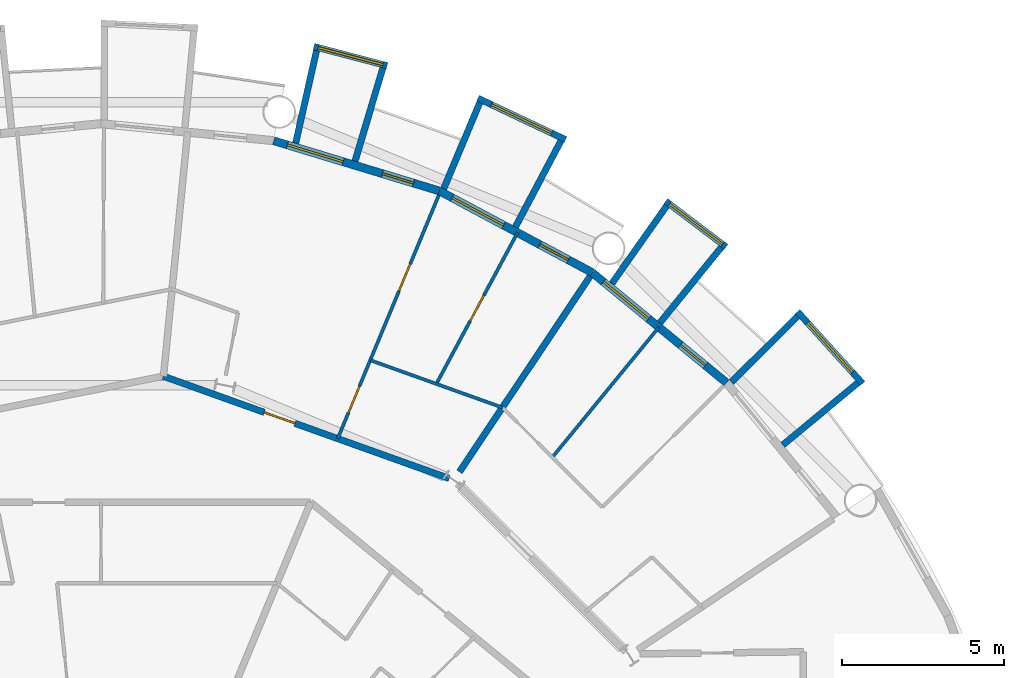
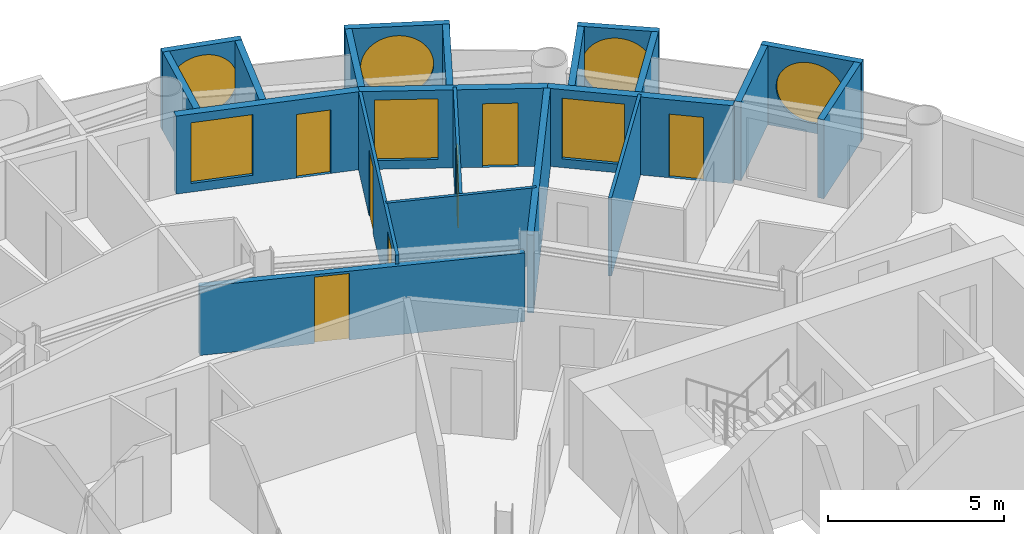
# One storey, part 22 of 26: 21 walls, 7 doors, 7 windows, 14 openings.
"""IFC4 building model written with IfcOpenShell, lengths in metres."""

from ifc_helpers import new_model, si_unit, direction, frame, frame_2d, origin, place, context, subcontext, project, spatial, rectangle, circle, extrude, material, layer, layer_set, type_object, element, fill, save


model = new_model("IFC4")

# Units and contexts
model_context = context("Model", 3, precision=1e-05, world=origin(), true_north=direction((0.0, 1.0)))
body_context = subcontext(model_context, "Body", "Model", "MODEL_VIEW")
ifc_project = project(units=[si_unit("LENGTHUNIT", "METRE"), si_unit("AREAUNIT", "SQUARE_METRE"), si_unit("VOLUMEUNIT", "CUBIC_METRE"), si_unit("PLANEANGLEUNIT", "RADIAN"), si_unit("MASSUNIT", "GRAM", prefix="KILO")], contexts=[model_context])

# Site, building, storey
site_placement = place(None, origin())
site = spatial("IfcSite", under=ifc_project, at=site_placement, CompositionType="ELEMENT")
building_placement = place(site_placement, origin())
building = spatial("IfcBuilding", under=site, at=building_placement, Name="Maasbend Ring Residences", CompositionType="ELEMENT")
storey_placement = place(building_placement, frame((0.0, 0.0, 35.0)))
storey = spatial("IfcBuildingStorey", under=building, at=storey_placement, Name="L09", CompositionType="ELEMENT", Elevation=35.0)

# Wall, opening, door
ifc_material_1 = material(Name="Concrete C30/37", Category="concrete")
ifc_layer_1 = layer(ifc_material_1, 0.199951171875)
ifc_layer_set_1 = layer_set([ifc_layer_1], Name="Concrete C30/37")
wall_type_1 = type_object("IfcWallType", Name="CORRIDOR WALL 200 CONCRETE", PredefinedType="PARTITIONING", material=ifc_layer_set_1)
wall_1_placement = place(storey_placement, frame((1.91796875, 19.506103515625, 0.0), z_axis=(0.0, 0.0, 1.0), x_axis=(0.941574977747, -0.336803446065, 0.0)))
wall_1 = element("IfcWall", 1, at=wall_1_placement, inside=storey, type_object=wall_type_1, Name="U-L09-w107", PredefinedType="PARTITIONING", context=body_context, shape_type="SweptSolid", body=[
    extrude(rectangle(XDim=9.370361328125, YDim=0.199951171875, at=frame_2d((4.68505859375, 0.0))), origin(), (0.0, 0.0, 1.0), 2.3798828125),
])
opening_1_placement = place(wall_1_placement, frame((3.31298828125, 0.0, 0.0)))
opening_1 = element("IfcOpeningElement", 2, at=opening_1_placement, cuts=wall_1, Name="Opening D-0905", PredefinedType="OPENING", context=body_context, shape_type="SweptSolid", body=[
    extrude(rectangle(XDim=1.0, YDim=2.300048828125, at=frame_2d((0.5, 1.14990234375))), frame((0.0, 0.10986328125, 0.0), z_axis=(0.0, -1.0, 0.0), x_axis=(1.0, 0.0, 0.0)), (0.0, 0.0, 1.0), 0.219970703125),
])
ifc_material_2 = material(Name="Timber, fire-rated, painted", Category="wood")
door_type_1 = type_object("IfcDoorType", Name="FLAT ENTRANCE DOOR 1000 X 2300 FIRE-RATED", OperationType="NOTDEFINED", PredefinedType="DOOR", material=ifc_material_2)
door_1_placement = place(opening_1_placement, origin())
door_1 = element("IfcDoor", 3, at=door_1_placement, inside=storey, type_object=door_type_1, Name="D-0905", OperationType="SINGLE_SWING_LEFT", OverallHeight=2.300048828125, OverallWidth=1.0, PredefinedType="DOOR", context=body_context, shape_type="SweptSolid", body=[
    extrude(rectangle(XDim=1.0, YDim=2.300048828125, at=frame_2d((0.5, 1.14990234375))), frame((0.0, 0.02490234375, 0.0), z_axis=(0.0, -1.0, 0.0), x_axis=(1.0, 0.0, 0.0)), (0.0, 0.0, 1.0), 0.050048828125),
])
fill(opening_1, door_1)

# Wall, opening, window
ifc_material_3 = material(Name="Pale anodised aluminium panel", Category="aluminium")
ifc_layer_2 = layer(ifc_material_3, 0.199951171875)
ifc_layer_set_2 = layer_set([ifc_layer_2], Name="EW-BOX")
wall_type_2 = type_object("IfcWallType", Name="EW-BOX", PredefinedType="SOLIDWALL", material=ifc_layer_set_2)
wall_2_placement = place(storey_placement, frame((23.5029296875, 19.281982421875, -0.030029296875), z_axis=(0.0, 0.0, 1.0), x_axis=(-0.671506829416, 0.740998365753, 0.0)))
wall_2 = element("IfcWall", 4, at=wall_2_placement, inside=storey, type_object=wall_type_2, Name="Box front N02", PredefinedType="SOLIDWALL", context=body_context, shape_type="SweptSolid", body=[
    extrude(rectangle(XDim=2.9931640625, YDim=0.199951171875, at=frame_2d((1.49658203125, 0.0))), origin(), (0.0, 0.0, 1.0), 2.72998046875),
])
opening_2_placement = place(wall_2_placement, frame((0.45654296875, 0.0, 0.330078125)))
opening_2 = element("IfcOpeningElement", 5, at=opening_2_placement, cuts=wall_2, Name="Opening W-RD", PredefinedType="OPENING", context=body_context, shape_type="SweptSolid", body=[
    extrude(circle(Radius=1.0400390625, at=frame_2d((1.0400390625, 1.0400390625))), frame((0.0, 0.10986328125, 0.0), z_axis=(0.0, -1.0, 0.0), x_axis=(1.0, 0.0, 0.0)), (0.0, 0.0, 1.0), 0.219970703125),
])
ifc_material_4 = material(Name="Aluminium and clear glass", Category="aluminium")
window_type_1 = type_object("IfcWindowType", Name="W-RD", PartitioningType="SINGLE_PANEL", PredefinedType="WINDOW", material=ifc_material_4)
window_1_placement = place(opening_2_placement, origin())
window_1 = element("IfcWindow", 6, at=window_1_placement, inside=storey, type_object=window_type_1, Name="Round window N02", OverallHeight=2.080078125, OverallWidth=2.080078125, PartitioningType="SINGLE_PANEL", PredefinedType="WINDOW", context=body_context, shape_type="SweptSolid", body=[
    extrude(circle(Radius=1.0400390625, at=frame_2d((1.0400390625, 1.0400390625))), frame((0.0, 0.030029296875, 0.0), z_axis=(0.0, -1.0, 0.0), x_axis=(1.0, 0.0, 0.0)), (0.0, 0.0, 1.0), 0.06005859375),
])
fill(opening_2, window_1)

# Walls
wall_3_placement = place(storey_placement, frame((21.041015625, 17.384033203125, -0.030029296875), z_axis=(0.0, 0.0, 1.0), x_axis=(0.770784861449, 0.63709551667, 0.0)))
element("IfcWall", 7, at=wall_3_placement, inside=storey, type_object=wall_type_2, Name="Box side wall N02 left", PredefinedType="SOLIDWALL", context=body_context, shape_type="SweptSolid", body=[
    extrude(rectangle(XDim=3.005859375, YDim=0.199951171875, at=frame_2d((1.5029296875, 0.0))), origin(), (0.0, 0.0, 1.0), 2.72998046875),
])
wall_4_placement = place(storey_placement, frame((19.449951171875, 19.322998046875, -0.030029296875), z_axis=(0.0, 0.0, 1.0), x_axis=(0.709727076896, 0.704476739375, 0.0)))
element("IfcWall", 8, at=wall_4_placement, inside=storey, type_object=wall_type_2, Name="Box side wall N02 right", PredefinedType="SOLIDWALL", context=body_context, shape_type="SweptSolid", body=[
    extrude(rectangle(XDim=2.883056640625, YDim=0.199951171875, at=frame_2d((1.44140625, 0.0))), origin(), (0.0, 0.0, 1.0), 2.72998046875),
])

# Wall, opening, window
wall_5_placement = place(storey_placement, frame((19.2890625, 23.4970703125, -0.030029296875), z_axis=(0.0, 0.0, 1.0), x_axis=(-0.796842165306, 0.60418752353, 0.0)))
wall_5 = element("IfcWall", 9, at=wall_5_placement, inside=storey, type_object=wall_type_2, Name="Box front N04", PredefinedType="SOLIDWALL", context=body_context, shape_type="SweptSolid", body=[
    extrude(rectangle(XDim=2.3369140625, YDim=0.199951171875, at=frame_2d((1.16845703125, 0.0))), origin(), (0.0, 0.0, 1.0), 2.72998046875),
])
opening_3_placement = place(wall_5_placement, frame((0.128173828125, 0.0, 0.330078125)))
opening_3 = element("IfcOpeningElement", 10, at=opening_3_placement, cuts=wall_5, Name="Opening W-RD", PredefinedType="OPENING", context=body_context, shape_type="SweptSolid", body=[
    extrude(circle(Radius=1.0400390625, at=frame_2d((1.0400390625, 1.0400390625))), frame((0.0, 0.10986328125, 0.0), z_axis=(0.0, -1.0, 0.0), x_axis=(1.0, 0.0, 0.0)), (0.0, 0.0, 1.0), 0.219970703125),
])
window_2_placement = place(opening_3_placement, origin())
window_2 = element("IfcWindow", 11, at=window_2_placement, inside=storey, type_object=window_type_1, Name="Round window N04", OverallHeight=2.080078125, OverallWidth=2.080078125, PartitioningType="SINGLE_PANEL", PredefinedType="WINDOW", context=body_context, shape_type="SweptSolid", body=[
    extrude(circle(Radius=1.0400390625, at=frame_2d((1.0400390625, 1.0400390625))), frame((0.0, 0.030029296875, 0.0), z_axis=(0.0, -1.0, 0.0), x_axis=(1.0, 0.0, 0.0)), (0.0, 0.0, 1.0), 0.06005859375),
])
fill(opening_3, window_2)

# Walls
wall_6_placement = place(storey_placement, frame((17.24609375, 21.155029296875, -0.030029296875), z_axis=(0.0, 0.0, 1.0), x_axis=(0.631741648902, 0.775179004516, 0.0)))
element("IfcWall", 12, at=wall_6_placement, inside=storey, type_object=wall_type_2, Name="Box side wall N04 left", PredefinedType="SOLIDWALL", context=body_context, shape_type="SweptSolid", body=[
    extrude(rectangle(XDim=3.005859375, YDim=0.199951171875, at=frame_2d((1.5029296875, 0.0))), origin(), (0.0, 0.0, 1.0), 2.72998046875),
])
wall_7_placement = place(storey_placement, frame((15.764892578125, 22.3701171875, -0.030029296875), z_axis=(0.0, 0.0, 1.0), x_axis=(0.576274612209, 0.817256123454, 0.0)))
element("IfcWall", 13, at=wall_7_placement, inside=storey, type_object=wall_type_2, Name="Box side wall N04 right", PredefinedType="SOLIDWALL", context=body_context, shape_type="SweptSolid", body=[
    extrude(rectangle(XDim=2.932861328125, YDim=0.199951171875, at=frame_2d((1.46630859375, 0.0))), origin(), (0.0, 0.0, 1.0), 2.72998046875),
])

# Wall, opening, window
wall_8_placement = place(storey_placement, frame((14.3349609375, 26.80810546875, -0.030029296875), z_axis=(0.0, 0.0, 1.0), x_axis=(-0.904000060331, 0.427532327342, 0.0)))
wall_8 = element("IfcWall", 14, at=wall_8_placement, inside=storey, type_object=wall_type_2, Name="Box front N06", PredefinedType="SOLIDWALL", context=body_context, shape_type="SweptSolid", body=[
    extrude(rectangle(XDim=2.993408203125, YDim=0.199951171875, at=frame_2d((1.49658203125, 0.0))), origin(), (0.0, 0.0, 1.0), 2.72998046875),
])
opening_4_placement = place(wall_8_placement, frame((0.45654296875, 0.0, 0.330078125)))
opening_4 = element("IfcOpeningElement", 15, at=opening_4_placement, cuts=wall_8, Name="Opening W-RD", PredefinedType="OPENING", context=body_context, shape_type="SweptSolid", body=[
    extrude(circle(Radius=1.0400390625, at=frame_2d((1.0400390625, 1.0400390625))), frame((0.0, 0.10986328125, 0.0), z_axis=(0.0, -1.0, 0.0), x_axis=(1.0, 0.0, 0.0)), (0.0, 0.0, 1.0), 0.219970703125),
])
window_3_placement = place(opening_4_placement, origin())
window_3 = element("IfcWindow", 16, at=window_3_placement, inside=storey, type_object=window_type_1, Name="Round window N06", OverallHeight=2.080078125, OverallWidth=2.080078125, PartitioningType="SINGLE_PANEL", PredefinedType="WINDOW", context=body_context, shape_type="SweptSolid", body=[
    extrude(circle(Radius=1.0400390625, at=frame_2d((1.0400390625, 1.0400390625))), frame((0.0, 0.030029296875, 0.0), z_axis=(0.0, -1.0, 0.0), x_axis=(1.0, 0.0, 0.0)), (0.0, 0.0, 1.0), 0.06005859375),
])
fill(opening_4, window_3)

# Walls
wall_9_placement = place(storey_placement, frame((12.787109375, 24.113037109375, -0.030029296875), z_axis=(0.0, 0.0, 1.0), x_axis=(0.468365282436, 0.883534924159, 0.0)))
element("IfcWall", 17, at=wall_9_placement, inside=storey, type_object=wall_type_2, Name="Box side wall N06 left", PredefinedType="SOLIDWALL", context=body_context, shape_type="SweptSolid", body=[
    extrude(rectangle(XDim=3.006103515625, YDim=0.199951171875, at=frame_2d((1.5029296875, 0.0))), origin(), (0.0, 0.0, 1.0), 2.72998046875),
])
wall_10_placement = place(storey_placement, frame((10.574951171875, 25.294921875, -0.030029296875), z_axis=(0.0, 0.0, 1.0), x_axis=(0.385697364644, 0.922625353492, 0.0)))
element("IfcWall", 18, at=wall_10_placement, inside=storey, type_object=wall_type_2, Name="Box side wall N06 right", PredefinedType="SOLIDWALL", context=body_context, shape_type="SweptSolid", body=[
    extrude(rectangle(XDim=2.88330078125, YDim=0.199951171875, at=frame_2d((1.441650390625, 0.0))), origin(), (0.0, 0.0, 1.0), 2.72998046875),
])

# Wall, opening, window
wall_11_placement = place(storey_placement, frame((8.827880859375, 29.090087890625, -0.030029296875), z_axis=(0.0, 0.0, 1.0), x_axis=(-0.967377102346, 0.253340762326, 0.0)))
wall_11 = element("IfcWall", 19, at=wall_11_placement, inside=storey, type_object=wall_type_2, Name="Box front N08", PredefinedType="SOLIDWALL", context=body_context, shape_type="SweptSolid", body=[
    extrude(rectangle(XDim=2.3359375, YDim=0.199951171875, at=frame_2d((1.16796875, 0.0))), origin(), (0.0, 0.0, 1.0), 2.72998046875),
])
opening_5_placement = place(wall_11_placement, frame((0.128173828125, 0.0, 0.330078125)))
opening_5 = element("IfcOpeningElement", 20, at=opening_5_placement, cuts=wall_11, Name="Opening W-RD", PredefinedType="OPENING", context=body_context, shape_type="SweptSolid", body=[
    extrude(circle(Radius=1.0400390625, at=frame_2d((1.0400390625, 1.0400390625))), frame((0.0, 0.10986328125, 0.0), z_axis=(0.0, -1.0, 0.0), x_axis=(1.0, 0.0, 0.0)), (0.0, 0.0, 1.0), 0.219970703125),
])
window_4_placement = place(opening_5_placement, origin())
window_4 = element("IfcWindow", 21, at=window_4_placement, inside=storey, type_object=window_type_1, Name="Round window N08", OverallHeight=2.080078125, OverallWidth=2.080078125, PartitioningType="SINGLE_PANEL", PredefinedType="WINDOW", context=body_context, shape_type="SweptSolid", body=[
    extrude(circle(Radius=1.0400390625, at=frame_2d((1.0400390625, 1.0400390625))), frame((0.0, 0.030029296875, 0.0), z_axis=(0.0, -1.0, 0.0), x_axis=(1.0, 0.0, 0.0)), (0.0, 0.0, 1.0), 0.06005859375),
])
fill(opening_5, window_4)

# Walls
wall_12_placement = place(storey_placement, frame((7.8369140625, 26.14404296875, -0.030029296875), z_axis=(0.0, 0.0, 1.0), x_axis=(0.287064767992, 0.957911174889, 0.0)))
element("IfcWall", 22, at=wall_12_placement, inside=storey, type_object=wall_type_2, Name="Box side wall N08 left", PredefinedType="SOLIDWALL", context=body_context, shape_type="SweptSolid", body=[
    extrude(rectangle(XDim=3.00634765625, YDim=0.199951171875, at=frame_2d((1.503173828125, 0.0))), origin(), (0.0, 0.0, 1.0), 2.72998046875),
])
wall_13_placement = place(storey_placement, frame((6.00390625, 26.699951171875, -0.030029296875), z_axis=(0.0, 0.0, 1.0), x_axis=(0.219609259383, 0.975587911566, 0.0)))
element("IfcWall", 23, at=wall_13_placement, inside=storey, type_object=wall_type_2, Name="Box side wall N08 right", PredefinedType="SOLIDWALL", context=body_context, shape_type="SweptSolid", body=[
    extrude(rectangle(XDim=2.9326171875, YDim=0.199951171875, at=frame_2d((1.46630859375, 0.0))), origin(), (0.0, 0.0, 1.0), 2.72998046875),
])

# Wall, openings, door, window
ifc_material_5 = material(Name="Aluminium clad insulated panel", Category="aluminium")
ifc_layer_3 = layer(ifc_material_5, 0.25)
ifc_layer_set_3 = layer_set([ifc_layer_3], Name="EW-GL")
wall_type_3 = type_object("IfcWallType", Name="EW-GL", PredefinedType="SOLIDWALL", material=ifc_layer_set_3)
wall_14_placement = place(storey_placement, frame((19.303955078125, 19.303955078125, 0.0), z_axis=(0.0, 0.0, 1.0), x_axis=(-0.773019449054, 0.634382322723, 0.0)))
wall_14 = element("IfcWall", 24, at=wall_14_placement, inside=storey, type_object=wall_type_3, Name="External wall N02", PredefinedType="SOLIDWALL", context=body_context, shape_type="SweptSolid", body=[
    extrude(rectangle(XDim=5.351806640625, YDim=0.25, at=frame_2d((2.67578125, 0.0))), origin(), (0.0, 0.0, 1.0), 2.699951171875),
])
opening_6_placement = place(wall_14_placement, frame((0.841064453125, 0.0, 0.0)))
opening_6 = element("IfcOpeningElement", 25, at=opening_6_placement, cuts=wall_14, Name="Opening D-LG", PredefinedType="OPENING", context=body_context, shape_type="SweptSolid", body=[
    extrude(rectangle(XDim=1.0, YDim=2.199951171875, at=frame_2d((0.5, 1.10009765625))), frame((0.0, 0.135009765625, 0.0), z_axis=(0.0, -1.0, 0.0), x_axis=(1.0, 0.0, 0.0)), (0.0, 0.0, 1.0), 0.27001953125),
])
opening_7_placement = place(wall_14_placement, frame((3.110595703125, 0.0, 0.300048828125)))
opening_7 = element("IfcOpeningElement", 26, at=opening_7_placement, cuts=wall_14, Name="Opening W-BX", PredefinedType="OPENING", context=body_context, shape_type="SweptSolid", body=[
    extrude(rectangle(XDim=1.800048828125, YDim=2.10009765625, at=frame_2d((0.89990234375, 1.050048828125))), frame((0.0, 0.135009765625, 0.0), z_axis=(0.0, -1.0, 0.0), x_axis=(1.0, 0.0, 0.0)), (0.0, 0.0, 1.0), 0.27001953125),
])
ifc_material_6 = material(Name="Aluminium and clear glass", Category="aluminium")
door_type_2 = type_object("IfcDoorType", Name="D-LG", OperationType="SINGLE_SWING_LEFT", PredefinedType="DOOR", material=ifc_material_6)
door_2_placement = place(opening_6_placement, origin())
door_2 = element("IfcDoor", 27, at=door_2_placement, inside=storey, type_object=door_type_2, Name="Loggia door N03", OperationType="SINGLE_SWING_LEFT", OverallHeight=2.199951171875, OverallWidth=1.0, PredefinedType="DOOR", context=body_context, shape_type="SweptSolid", body=[
    extrude(rectangle(XDim=1.0, YDim=2.199951171875, at=frame_2d((0.5, 1.10009765625))), frame((0.0, 0.02490234375, 0.0), z_axis=(0.0, -1.0, 0.0), x_axis=(1.0, 0.0, 0.0)), (0.0, 0.0, 1.0), 0.050048828125),
])
fill(opening_6, door_2)
ifc_material_7 = material(Name="Aluminium and clear glass", Category="aluminium")
window_type_2 = type_object("IfcWindowType", Name="W-BX", PartitioningType="DOUBLE_PANEL_VERTICAL", PredefinedType="WINDOW", material=ifc_material_7)
window_5_placement = place(opening_7_placement, origin())
window_5 = element("IfcWindow", 28, at=window_5_placement, inside=storey, type_object=window_type_2, Name="Window N04 room to box", OverallHeight=2.10009765625, OverallWidth=1.800048828125, PartitioningType="SINGLE_PANEL", PredefinedType="WINDOW", context=body_context, shape_type="SweptSolid", body=[
    extrude(rectangle(XDim=1.800048828125, YDim=2.10009765625, at=frame_2d((0.89990234375, 1.050048828125))), frame((0.0, 0.030029296875, 0.0), z_axis=(0.0, -1.0, 0.0), x_axis=(1.0, 0.0, 0.0)), (0.0, 0.0, 1.0), 0.06005859375),
])
fill(opening_7, window_5)

wall_15_placement = place(storey_placement, frame((15.1669921875, 22.698974609375, 0.0), z_axis=(0.0, 0.0, 1.0), x_axis=(-0.881915646801, 0.471407246368, 0.0)))
wall_15 = element("IfcWall", 29, at=wall_15_placement, inside=storey, type_object=wall_type_3, Name="External wall N03", PredefinedType="SOLIDWALL", context=body_context, shape_type="SweptSolid", body=[
    extrude(rectangle(XDim=5.35205078125, YDim=0.25, at=frame_2d((2.676025390625, 0.0))), origin(), (0.0, 0.0, 1.0), 2.699951171875),
])
opening_8_placement = place(wall_15_placement, frame((0.841064453125, 0.0, 0.0)))
opening_8 = element("IfcOpeningElement", 30, at=opening_8_placement, cuts=wall_15, Name="Opening D-LG", PredefinedType="OPENING", context=body_context, shape_type="SweptSolid", body=[
    extrude(rectangle(XDim=1.0, YDim=2.199951171875, at=frame_2d((0.5, 1.10009765625))), frame((0.0, 0.135009765625, 0.0), z_axis=(0.0, -1.0, 0.0), x_axis=(1.0, 0.0, 0.0)), (0.0, 0.0, 1.0), 0.27001953125),
])
opening_9_placement = place(wall_15_placement, frame((3.110595703125, 0.0, 0.300048828125)))
opening_9 = element("IfcOpeningElement", 31, at=opening_9_placement, cuts=wall_15, Name="Opening W-BX", PredefinedType="OPENING", context=body_context, shape_type="SweptSolid", body=[
    extrude(rectangle(XDim=1.800048828125, YDim=2.10009765625, at=frame_2d((0.89990234375, 1.050048828125))), frame((0.0, 0.135009765625, 0.0), z_axis=(0.0, -1.0, 0.0), x_axis=(1.0, 0.0, 0.0)), (0.0, 0.0, 1.0), 0.27001953125),
])
door_3_placement = place(opening_8_placement, origin())
door_3 = element("IfcDoor", 32, at=door_3_placement, inside=storey, type_object=door_type_2, Name="Loggia door N05", OperationType="SINGLE_SWING_LEFT", OverallHeight=2.199951171875, OverallWidth=1.0, PredefinedType="DOOR", context=body_context, shape_type="SweptSolid", body=[
    extrude(rectangle(XDim=1.0, YDim=2.199951171875, at=frame_2d((0.5, 1.10009765625))), frame((0.0, 0.02490234375, 0.0), z_axis=(0.0, -1.0, 0.0), x_axis=(1.0, 0.0, 0.0)), (0.0, 0.0, 1.0), 0.050048828125),
])
fill(opening_8, door_3)
window_6_placement = place(opening_9_placement, origin())
window_6 = element("IfcWindow", 33, at=window_6_placement, inside=storey, type_object=window_type_2, Name="Window N06 room to box", OverallHeight=2.10009765625, OverallWidth=1.800048828125, PartitioningType="SINGLE_PANEL", PredefinedType="WINDOW", context=body_context, shape_type="SweptSolid", body=[
    extrude(rectangle(XDim=1.800048828125, YDim=2.10009765625, at=frame_2d((0.89990234375, 1.050048828125))), frame((0.0, 0.030029296875, 0.0), z_axis=(0.0, -1.0, 0.0), x_axis=(1.0, 0.0, 0.0)), (0.0, 0.0, 1.0), 0.06005859375),
])
fill(opening_9, window_6)

wall_16_placement = place(storey_placement, frame((10.447021484375, 25.221923828125, 0.0), z_axis=(0.0, 0.0, 1.0), x_axis=(-0.956965678721, 0.290201119486, 0.0)))
wall_16 = element("IfcWall", 34, at=wall_16_placement, inside=storey, type_object=wall_type_3, Name="External wall N04", PredefinedType="SOLIDWALL", context=body_context, shape_type="SweptSolid", body=[
    extrude(rectangle(XDim=5.351318359375, YDim=0.25, at=frame_2d((2.67578125, 0.0))), origin(), (0.0, 0.0, 1.0), 2.699951171875),
])
opening_10_placement = place(wall_16_placement, frame((0.841064453125, 0.0, 0.0)))
opening_10 = element("IfcOpeningElement", 35, at=opening_10_placement, cuts=wall_16, Name="Opening D-LG", PredefinedType="OPENING", context=body_context, shape_type="SweptSolid", body=[
    extrude(rectangle(XDim=1.0, YDim=2.199951171875, at=frame_2d((0.5, 1.10009765625))), frame((0.0, 0.135009765625, 0.0), z_axis=(0.0, -1.0, 0.0), x_axis=(1.0, 0.0, 0.0)), (0.0, 0.0, 1.0), 0.27001953125),
])
opening_11_placement = place(wall_16_placement, frame((3.110595703125, 0.0, 0.300048828125)))
opening_11 = element("IfcOpeningElement", 36, at=opening_11_placement, cuts=wall_16, Name="Opening W-BX", PredefinedType="OPENING", context=body_context, shape_type="SweptSolid", body=[
    extrude(rectangle(XDim=1.800048828125, YDim=2.10009765625, at=frame_2d((0.89990234375, 1.050048828125))), frame((0.0, 0.135009765625, 0.0), z_axis=(0.0, -1.0, 0.0), x_axis=(1.0, 0.0, 0.0)), (0.0, 0.0, 1.0), 0.27001953125),
])
door_4_placement = place(opening_10_placement, origin())
door_4 = element("IfcDoor", 37, at=door_4_placement, inside=storey, type_object=door_type_2, Name="Loggia door N07", OperationType="SINGLE_SWING_LEFT", OverallHeight=2.199951171875, OverallWidth=1.0, PredefinedType="DOOR", context=body_context, shape_type="SweptSolid", body=[
    extrude(rectangle(XDim=1.0, YDim=2.199951171875, at=frame_2d((0.5, 1.10009765625))), frame((0.0, 0.02490234375, 0.0), z_axis=(0.0, -1.0, 0.0), x_axis=(1.0, 0.0, 0.0)), (0.0, 0.0, 1.0), 0.050048828125),
])
fill(opening_10, door_4)
window_7_placement = place(opening_11_placement, origin())
window_7 = element("IfcWindow", 38, at=window_7_placement, inside=storey, type_object=window_type_2, Name="Window N08 room to box", OverallHeight=2.10009765625, OverallWidth=1.800048828125, PartitioningType="SINGLE_PANEL", PredefinedType="WINDOW", context=body_context, shape_type="SweptSolid", body=[
    extrude(rectangle(XDim=1.800048828125, YDim=2.10009765625, at=frame_2d((0.89990234375, 1.050048828125))), frame((0.0, 0.030029296875, 0.0), z_axis=(0.0, -1.0, 0.0), x_axis=(1.0, 0.0, 0.0)), (0.0, 0.0, 1.0), 0.06005859375),
])
fill(opening_11, window_7)

# Wall, openings, doors
ifc_material_8 = material(Name="Gypsum board on steel studs", Category="steel")
ifc_layer_4 = layer(ifc_material_8, 0.10009765625)
ifc_layer_set_4 = layer_set([ifc_layer_4], Name="PARTITION 100 GYPSUM")
wall_type_4 = type_object("IfcWallType", Name="PARTITION 100 GYPSUM", PredefinedType="PARTITIONING", material=ifc_layer_set_4)
wall_17_placement = place(storey_placement, frame((7.302001953125, 17.580078125, 0.0), z_axis=(0.0, 0.0, 1.0), x_axis=(0.383616168183, 0.923492628833, 0.0)))
wall_17 = element("IfcWall", 39, at=wall_17_placement, inside=storey, type_object=wall_type_4, Name="U-L09-w073", PredefinedType="PARTITIONING", context=body_context, shape_type="SweptSolid", body=[
    extrude(rectangle(XDim=8.138427734375, YDim=0.10009765625, at=frame_2d((4.0693359375, 0.0))), origin(), (0.0, 0.0, 1.0), 2.699951171875),
])
opening_12_placement = place(wall_17_placement, frame((0.861083984375, 0.0, 0.0)))
opening_12 = element("IfcOpeningElement", 40, at=opening_12_placement, cuts=wall_17, Name="Opening D-0907", PredefinedType="OPENING", context=body_context, shape_type="SweptSolid", body=[
    extrude(rectangle(XDim=0.89990234375, YDim=2.300048828125, at=frame_2d((0.449951171875, 1.14990234375))), frame((0.0, 0.06005859375, 0.0), z_axis=(0.0, -1.0, 0.0), x_axis=(1.0, 0.0, 0.0)), (0.0, 0.0, 1.0), 0.1201171875),
])
opening_13_placement = place(wall_17_placement, frame((4.930908203125, 0.0, 0.0)))
opening_13 = element("IfcOpeningElement", 41, at=opening_13_placement, cuts=wall_17, Name="Opening D-0908", PredefinedType="OPENING", context=body_context, shape_type="SweptSolid", body=[
    extrude(rectangle(XDim=0.89990234375, YDim=2.300048828125, at=frame_2d((0.449951171875, 1.14990234375))), frame((0.0, 0.06005859375, 0.0), z_axis=(0.0, -1.0, 0.0), x_axis=(1.0, 0.0, 0.0)), (0.0, 0.0, 1.0), 0.1201171875),
])
ifc_material_9 = material(Name="Timber, painted", Category="wood")
door_type_3 = type_object("IfcDoorType", Name="INTERNAL DOOR 900 X 2300", OperationType="NOTDEFINED", PredefinedType="DOOR", material=ifc_material_9)
door_5_placement = place(opening_12_placement, origin())
door_5 = element("IfcDoor", 42, at=door_5_placement, inside=storey, type_object=door_type_3, Name="D-0907", OperationType="SINGLE_SWING_LEFT", OverallHeight=2.300048828125, OverallWidth=0.89990234375, PredefinedType="DOOR", context=body_context, shape_type="SweptSolid", body=[
    extrude(rectangle(XDim=0.89990234375, YDim=2.300048828125, at=frame_2d((0.449951171875, 1.14990234375))), frame((0.0, 0.02490234375, 0.0), z_axis=(0.0, -1.0, 0.0), x_axis=(1.0, 0.0, 0.0)), (0.0, 0.0, 1.0), 0.050048828125),
])
fill(opening_12, door_5)
door_6_placement = place(opening_13_placement, origin())
door_6 = element("IfcDoor", 43, at=door_6_placement, inside=storey, type_object=door_type_3, Name="D-0908", OperationType="SINGLE_SWING_RIGHT", OverallHeight=2.300048828125, OverallWidth=0.89990234375, PredefinedType="DOOR", context=body_context, shape_type="SweptSolid", body=[
    extrude(rectangle(XDim=0.89990234375, YDim=2.300048828125, at=frame_2d((0.449951171875, 1.14990234375))), frame((0.0, 0.02490234375, 0.0), z_axis=(0.0, -1.0, 0.0), x_axis=(1.0, 0.0, 0.0)), (0.0, 0.0, 1.0), 0.050048828125),
])
fill(opening_13, door_6)

# Wall, opening, door
wall_18_placement = place(storey_placement, frame((10.34912109375, 19.27197265625, 0.0), z_axis=(0.0, 0.0, 1.0), x_axis=(0.472967735543, 0.881079747319, 0.0)))
wall_18 = element("IfcWall", 44, at=wall_18_placement, inside=storey, type_object=wall_type_4, Name="U-L09-w081", PredefinedType="PARTITIONING", context=body_context, shape_type="SweptSolid", body=[
    extrude(rectangle(XDim=5.30029296875, YDim=0.10009765625, at=frame_2d((2.650146484375, 0.0))), origin(), (0.0, 0.0, 1.0), 2.699951171875),
])
opening_14_placement = place(wall_18_placement, frame((2.199951171875, 0.0, 0.0)))
opening_14 = element("IfcOpeningElement", 45, at=opening_14_placement, cuts=wall_18, Name="Opening D-0909", PredefinedType="OPENING", context=body_context, shape_type="SweptSolid", body=[
    extrude(rectangle(XDim=0.89990234375, YDim=2.300048828125, at=frame_2d((0.449951171875, 1.14990234375))), frame((0.0, 0.06005859375, 0.0), z_axis=(0.0, -1.0, 0.0), x_axis=(1.0, 0.0, 0.0)), (0.0, 0.0, 1.0), 0.1201171875),
])
door_7_placement = place(opening_14_placement, origin())
door_7 = element("IfcDoor", 46, at=door_7_placement, inside=storey, type_object=door_type_3, Name="D-0909", OperationType="SINGLE_SWING_RIGHT", OverallHeight=2.300048828125, OverallWidth=0.89990234375, PredefinedType="DOOR", context=body_context, shape_type="SweptSolid", body=[
    extrude(rectangle(XDim=0.89990234375, YDim=2.300048828125, at=frame_2d((0.449951171875, 1.14990234375))), frame((0.0, 0.02490234375, 0.0), z_axis=(0.0, -1.0, 0.0), x_axis=(1.0, 0.0, 0.0)), (0.0, 0.0, 1.0), 0.050048828125),
])
fill(opening_14, door_7)

# Walls
wall_19_placement = place(storey_placement, frame((13.927001953125, 17.00390625, 0.0), z_axis=(0.0, 0.0, 1.0), x_axis=(0.633774976367, 0.773517471898, 0.0)))
element("IfcWall", 47, at=wall_19_placement, inside=storey, type_object=wall_type_4, Name="U-L09-w085", PredefinedType="PARTITIONING", context=body_context, shape_type="SweptSolid", body=[
    extrude(rectangle(XDim=5.19580078125, YDim=0.10009765625, at=frame_2d((2.597900390625, 0.0))), origin(), (0.0, 0.0, 1.0), 2.699951171875),
])
wall_20_placement = place(storey_placement, frame((8.318115234375, 19.99609375, 0.0), z_axis=(0.0, 0.0, 1.0), x_axis=(0.941370462946, -0.337374645598, 0.0)))
element("IfcWall", 48, at=wall_20_placement, inside=storey, type_object=wall_type_4, Name="U-L09-w114", PredefinedType="PARTITIONING", context=body_context, shape_type="SweptSolid", body=[
    extrude(rectangle(XDim=4.333984375, YDim=0.10009765625, at=frame_2d((2.1669921875, 0.0))), origin(), (0.0, 0.0, 1.0), 2.699951171875),
])
ifc_material_10 = material(Name="Concrete C30/37", Category="concrete")
ifc_layer_5 = layer(ifc_material_10, 0.199951171875)
ifc_layer_set_5 = layer_set([ifc_layer_5], Name="Concrete C30/37")
wall_type_5 = type_object("IfcWallType", Name="PARTY WALL 200 CONCRETE", PredefinedType="PARTITIONING", material=ifc_layer_set_5)
wall_21_placement = place(storey_placement, frame((11.06103515625, 16.554931640625, 0.0), z_axis=(0.0, 0.0, 1.0), x_axis=(0.555576285599, 0.831465568067, 0.0)))
element("IfcWall", 49, at=wall_21_placement, inside=storey, type_object=wall_type_5, Name="U-L09-w082", PredefinedType="PARTITIONING", context=body_context, shape_type="SweptSolid", body=[
    extrude(rectangle(XDim=7.264404296875, YDim=0.199951171875, at=frame_2d((3.63232421875, 0.0))), origin(), (0.0, 0.0, 1.0), 2.699951171875),
])

save(model, "model.ifc")
